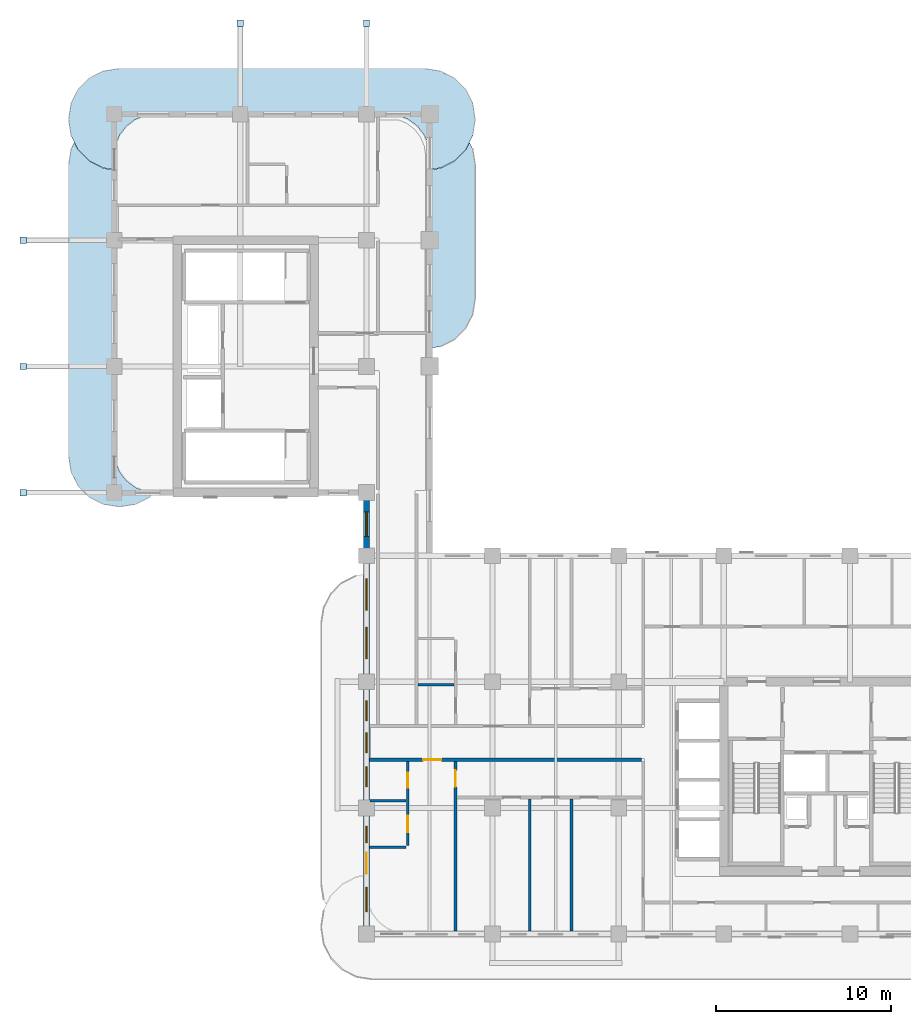
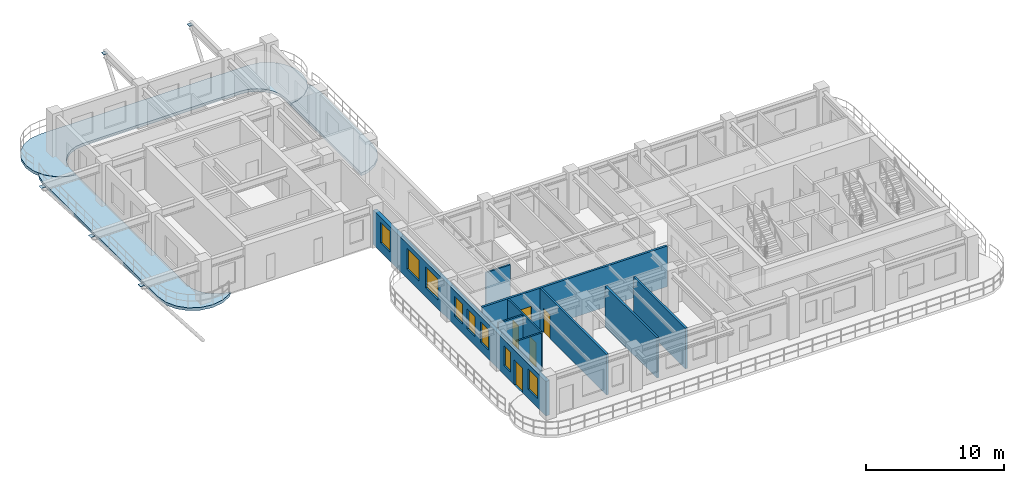
# One storey, part 5 of 14: 9 walls, 8 windows, 5 doors, 5 plates, 3 slabs, 13 openings.
"""IFC4 building model written with IfcOpenShell, lengths in metres."""

from ifc_helpers import new_model, si_unit, derived_unit, direction, frame, frame_2d, origin, origin_2d, place, context, subcontext, project, spatial, polyline, rectangle, outline, extrude, source, transform, mapped, material, layer, layer_set, type_object, type_shapes, element, fill, save


model = new_model("IFC4")

# Units and contexts
model_context = context("Model", 3, precision=1e-05, world=origin(), true_north=direction((0.0, 1.0)))
body_context = subcontext(model_context, "Body", "Model", "MODEL_VIEW")
ifc_project = project(units=[si_unit("LENGTHUNIT", "METRE"), si_unit("AREAUNIT", "SQUARE_METRE"), si_unit("VOLUMEUNIT", "CUBIC_METRE"), si_unit("PLANEANGLEUNIT", "RADIAN"), si_unit("MASSUNIT", "GRAM", prefix="KILO"), si_unit("THERMODYNAMICTEMPERATUREUNIT", "KELVIN"), si_unit("POWERUNIT", "WATT"), derived_unit("THERMALTRANSMITTANCEUNIT", [(si_unit("POWERUNIT", "WATT"), 1), (si_unit("AREAUNIT", "SQUARE_METRE"), -1), (si_unit("THERMODYNAMICTEMPERATUREUNIT", "KELVIN"), -1)])], contexts=[model_context])

# Site, building, storey
site_placement = place(None, origin())
site = spatial("IfcSite", under=ifc_project, at=site_placement, CompositionType="ELEMENT")
building_placement = place(site_placement, origin())
building = spatial("IfcBuilding", under=site, at=building_placement, Name="Zahravan Archway Hotel and Residences", CompositionType="ELEMENT")
storey_placement = place(building_placement, frame((0.0, 0.0, 209.60009765625)))
storey = spatial("IfcBuildingStorey", under=building, at=storey_placement, Name="L52", CompositionType="ELEMENT", Elevation=209.60009765625)

# Slabs
ifc_material_1 = material(Name="Concrete C45/55", Category="concrete")
ifc_layer_1 = layer(ifc_material_1, 0.25, Name="Concrete C45/55", Category="concrete")
ifc_layer_set_1 = layer_set([ifc_layer_1], Name="Concrete C45/55")
slab_type = type_object("IfcSlabType", Name="SLB-BALC-250", PredefinedType="FLOOR", material=ifc_layer_set_1)
slab_1_placement = place(storey_placement, frame((0.0, 0.0, -0.25)))
element("IfcSlab", 1, at=slab_1_placement, inside=storey, type_object=slab_type, Name="L52 Wing B North Rounded Balcony Band", PredefinedType="FLOOR", context=body_context, shape_type="SweptSolid", body=[
    extrude(outline(polyline([(-0.630615234375, 43.739501953125), (-1.42529296875, 44.144287109375), (-2.0556640625, 44.77490234375), (-2.46044921875, 45.5693359375), (-2.60009765625, 46.449951171875), (-2.60009765625, 46.550048828125), (-2.46044921875, 47.4306640625), (-2.0556640625, 48.22509765625), (-1.42529296875, 48.855712890625), (-0.630615234375, 49.260498046875), (0.25, 49.39990234375), (17.75, 49.39990234375), (18.630615234375, 49.260498046875), (19.42529296875, 48.855712890625), (20.0556640625, 48.22509765625), (20.46044921875, 47.4306640625), (20.60009765625, 46.550048828125), (20.60009765625, 46.449951171875), (20.46044921875, 45.5693359375), (20.0556640625, 44.77490234375), (19.42529296875, 44.144287109375), (18.630615234375, 43.739501953125), (18.02001953125, 43.642822265625), (18.02001953125, 44.39990234375), (18.019775390625, 44.402587890625), (17.93798828125, 45.023681640625), (17.937744140625, 45.025390625), (17.937255859375, 45.027099609375), (17.936767578125, 45.02880859375), (17.697021484375, 45.607666015625), (17.6962890625, 45.609130859375), (17.6953125, 45.610595703125), (17.6943359375, 45.6123046875), (17.31298828125, 46.109375), (17.311767578125, 46.110595703125), (17.310546875, 46.11181640625), (17.309326171875, 46.113037109375), (16.812255859375, 46.494384765625), (16.810791015625, 46.495361328125), (16.80908203125, 46.49609375), (16.8076171875, 46.4970703125), (16.22900390625, 46.73681640625), (16.227294921875, 46.7373046875), (16.2255859375, 46.73779296875), (16.223876953125, 46.738037109375), (15.6025390625, 46.81982421875), (15.60009765625, 46.820068359375), (2.39990234375, 46.820068359375), (2.3974609375, 46.81982421875), (1.776123046875, 46.738037109375), (1.7744140625, 46.73779296875), (1.772705078125, 46.7373046875), (1.77099609375, 46.73681640625), (1.1923828125, 46.4970703125), (1.19091796875, 46.49609375), (1.189208984375, 46.495361328125), (1.187744140625, 46.494384765625), (0.690673828125, 46.113037109375), (0.689453125, 46.11181640625), (0.688232421875, 46.110595703125), (0.68701171875, 46.109375), (0.3056640625, 45.6123046875), (0.3046875, 45.610595703125), (0.3037109375, 45.609130859375), (0.302978515625, 45.607666015625), (0.063232421875, 45.02880859375), (0.062744140625, 45.027099609375), (0.062255859375, 45.025390625), (0.06201171875, 45.023681640625), (-0.019775390625, 44.402587890625), (-0.02001953125, 44.39990234375), (-0.02001953125, 43.642822265625), (-0.630615234375, 43.739501953125)])), origin(), (0.0, 0.0, 1.0), 0.25),
])
slab_2_placement = place(storey_placement, frame((0.0, 0.0, -0.25)))
element("IfcSlab", 2, at=slab_2_placement, inside=storey, type_object=slab_type, Name="L52 Wing B West Rounded Balcony Band", PredefinedType="FLOOR", context=body_context, shape_type="SweptSolid", body=[
    extrude(outline(polyline([(2.025146484375, 24.9443359375), (1.230712890625, 24.53955078125), (0.35009765625, 24.39990234375), (0.25, 24.39990234375), (-0.630615234375, 24.53955078125), (-1.42529296875, 24.9443359375), (-2.0556640625, 25.57470703125), (-2.46044921875, 26.369384765625), (-2.60009765625, 27.25), (-2.60009765625, 43.949951171875), (-2.46044921875, 44.830810546875), (-2.28369140625, 45.177978515625), (-2.073486328125, 44.765625), (-2.072509765625, 44.763916015625), (-2.0712890625, 44.76220703125), (-2.06982421875, 44.7607421875), (-1.439208984375, 44.130126953125), (-1.437744140625, 44.12890625), (-1.43603515625, 44.12744140625), (-1.434326171875, 44.12646484375), (-0.639892578125, 43.7216796875), (-0.637939453125, 43.720703125), (-0.635986328125, 43.72021484375), (-0.6337890625, 43.7197265625), (-0.023193359375, 43.623046875), (-0.021240234375, 43.622802734375), (-0.02001953125, 43.622802734375), (-0.02001953125, 27.60009765625), (-0.019775390625, 27.597412109375), (0.06201171875, 26.976318359375), (0.062255859375, 26.974609375), (0.062744140625, 26.972900390625), (0.063232421875, 26.97119140625), (0.302978515625, 26.392333984375), (0.3037109375, 26.390869140625), (0.3046875, 26.389404296875), (0.3056640625, 26.3876953125), (0.68701171875, 25.890625), (0.688232421875, 25.889404296875), (0.689453125, 25.88818359375), (0.690673828125, 25.886962890625), (1.187744140625, 25.505615234375), (1.189208984375, 25.504638671875), (1.19091796875, 25.50390625), (1.1923828125, 25.5029296875), (1.77099609375, 25.26318359375), (1.772705078125, 25.2626953125), (1.7744140625, 25.26220703125), (1.776123046875, 25.261962890625), (2.27685546875, 25.196044921875), (2.025146484375, 24.9443359375)])), origin(), (0.0, 0.0, 1.0), 0.25),
])
slab_3_placement = place(storey_placement, frame((0.0, 0.0, -0.25)))
element("IfcSlab", 3, at=slab_3_placement, inside=storey, type_object=slab_type, Name="L52 Wing B East Rounded Balcony Band", PredefinedType="FLOOR", context=body_context, shape_type="SweptSolid", body=[
    extrude(outline(polyline([(20.46044921875, 44.830810546875), (20.60009765625, 43.949951171875), (20.60009765625, 36.25), (20.46044921875, 35.369384765625), (20.0556640625, 34.57470703125), (19.42529296875, 33.9443359375), (18.630615234375, 33.53955078125), (18.02001953125, 33.44287109375), (18.02001953125, 43.622802734375), (18.021240234375, 43.622802734375), (18.023193359375, 43.623046875), (18.6337890625, 43.7197265625), (18.635986328125, 43.72021484375), (18.637939453125, 43.720703125), (18.639892578125, 43.7216796875), (19.434326171875, 44.12646484375), (19.43603515625, 44.12744140625), (19.437744140625, 44.12890625), (19.439208984375, 44.130126953125), (20.06982421875, 44.7607421875), (20.0712890625, 44.76220703125), (20.072509765625, 44.763916015625), (20.073486328125, 44.765625), (20.28369140625, 45.177978515625), (20.46044921875, 44.830810546875)])), origin(), (0.0, 0.0, 1.0), 0.25),
])

# Plates
ifc_material_2 = material(Name="Structural Steel S355J2", Category="steel")
ifc_layer_2 = layer(ifc_material_2, 0.02490234375, Name="Structural Steel S355J2", Category="steel")
ifc_layer_set_2 = layer_set([ifc_layer_2], Name="Structural Steel S355J2")
plate_type = type_object("IfcPlateType", Name="PLT-CAP-ECP1", PredefinedType="SHEET", material=ifc_layer_set_2)
shared_shape_1 = source(origin(), body_context, "Body", "SweptSolid", [
    extrude(rectangle(XDim=0.360107421875, YDim=0.360107421875, at=origin_2d()), origin(), (0.0, 0.0, 1.0), 0.02490234375),
])
type_shapes(plate_type, [shared_shape_1])
for number, where, z_axis, x_axis, name in (
    (4, (-5.199951171875, 25.199951171875, 3.1875), (0.0, 0.0, 1.0), (1.0, 0.0, 0.0), "Wing B Chhajja Hollow Strut End Cap W1"),
    (5, (-5.199951171875, 32.39990234375, 3.1875), (0.0, 0.0, 1.0), (1.0, 0.0, 0.0), "Wing B Chhajja Hollow Strut End Cap W2"),
    (6, (-5.199951171875, 39.60009765625, 3.1875), (0.0, 0.0, 1.0), (1.0, 0.0, 0.0), "Wing B Chhajja Hollow Strut End Cap W3"),
    (7, (7.199951171875, 52.0, 3.1875), (0.0, 0.0, 1.0), (1.0, 0.0, 0.0), "Wing B Chhajja Hollow Strut End Cap N1"),
    (8, (14.39990234375, 52.0, 3.1875), (0.0, 0.0, 1.0), (1.0, 0.0, 0.0), "Wing B Chhajja Hollow Strut End Cap N2"),
):
    element("IfcPlate", number, at=place(storey_placement, frame(where, z_axis=z_axis, x_axis=x_axis)), inside=storey, type_object=plate_type, Name=name, PredefinedType="SHEET", context=body_context, shape_type="MappedRepresentation", body=[
        mapped(shared_shape_1, transform((0.0, 0.0, 0.0), scale=1.0)),
    ])

# Wall, openings, door, windows
ifc_material_3 = material(Name="Agra Buff Sandstone & Insulated Backup", Category="masonry")
ifc_layer_3 = layer(ifc_material_3, 0.320068359375, Name="Agra Buff Sandstone & Insulated Backup", Category="masonry")
ifc_layer_set_3 = layer_set([ifc_layer_3], Name="Agra Buff Sandstone & Insulated Backup")
wall_type_1 = type_object("IfcWallType", Name="EW-SAND-320", PredefinedType="SOLIDWALL", material=ifc_layer_set_3)
wall_1_placement = place(storey_placement, frame((14.39990234375, 0.050048828125, 0.0), z_axis=(0.0, 0.0, 1.0), x_axis=(0.0, 1.0, 0.0)))
wall_1 = element("IfcWall", 9, at=wall_1_placement, inside=storey, type_object=wall_type_1, Name="L52 Exterior Sandstone Wall WA-WL", PredefinedType="SOLIDWALL", context=body_context, shape_type="SweptSolid", body=[
    extrude(rectangle(XDim=25.099853515625, YDim=0.320068359375, at=frame_2d((12.5498046875, 0.0))), origin(), (0.0, 0.0, 1.0), 3.0849609375),
])
opening_1_placement = place(wall_1_placement, frame((3.39990234375, 0.0, 0.0)))
opening_1 = element("IfcOpeningElement", 10, at=opening_1_placement, cuts=wall_1, Name="Opening ED-BL1", PredefinedType="OPENING", context=body_context, shape_type="SweptSolid", body=[
    extrude(rectangle(XDim=1.199951171875, YDim=2.199951171875, at=frame_2d((0.60009765625, 1.10009765625))), frame((0.0, 0.169921875, 0.0), z_axis=(0.0, -1.0, 0.0), x_axis=(1.0, 0.0, 0.0)), (0.0, 0.0, 1.0), 0.340087890625),
])
opening_2_placement = place(wall_1_placement, frame((1.22509765625, 0.0, 0.800048828125)))
opening_2 = element("IfcOpeningElement", 11, at=opening_2_placement, cuts=wall_1, Name="Opening W-03", PredefinedType="OPENING", context=body_context, shape_type="SweptSolid", body=[
    extrude(rectangle(XDim=1.39990234375, YDim=1.85009765625, at=frame_2d((0.699951171875, 0.925048828125))), frame((0.0, 0.169921875, 0.0), z_axis=(0.0, -1.0, 0.0), x_axis=(1.0, 0.0, 0.0)), (0.0, 0.0, 1.0), 0.340087890625),
])
opening_3_placement = place(wall_1_placement, frame((5.154052734375, 0.0, 0.800048828125)))
opening_3 = element("IfcOpeningElement", 12, at=opening_3_placement, cuts=wall_1, Name="Opening W-04", PredefinedType="OPENING", context=body_context, shape_type="SweptSolid", body=[
    extrude(rectangle(XDim=0.949951171875, YDim=1.75, at=frame_2d((0.47509765625, 0.875))), frame((0.0, 0.169921875, 0.0), z_axis=(0.0, -1.0, 0.0), x_axis=(1.0, 0.0, 0.0)), (0.0, 0.0, 1.0), 0.340087890625),
])
opening_4_placement = place(wall_1_placement, frame((8.345947265625, 0.0, 0.800048828125)))
opening_4 = element("IfcOpeningElement", 13, at=opening_4_placement, cuts=wall_1, Name="Opening W-05", PredefinedType="OPENING", context=body_context, shape_type="SweptSolid", body=[
    extrude(rectangle(XDim=1.14990234375, YDim=1.800048828125, at=frame_2d((0.574951171875, 0.89990234375))), frame((0.0, 0.169921875, 0.0), z_axis=(0.0, -1.0, 0.0), x_axis=(1.0, 0.0, 0.0)), (0.0, 0.0, 1.0), 0.340087890625),
])
opening_5_placement = place(wall_1_placement, frame((10.284912109375, 0.0, 0.800048828125)))
opening_5 = element("IfcOpeningElement", 14, at=opening_5_placement, cuts=wall_1, Name="Opening W-05", PredefinedType="OPENING", context=body_context, shape_type="SweptSolid", body=[
    extrude(rectangle(XDim=1.14990234375, YDim=1.800048828125, at=frame_2d((0.574951171875, 0.89990234375))), frame((0.0, 0.169921875, 0.0), z_axis=(0.0, -1.0, 0.0), x_axis=(1.0, 0.0, 0.0)), (0.0, 0.0, 1.0), 0.340087890625),
])
opening_6_placement = place(wall_1_placement, frame((12.114013671875, 0.0, 0.800048828125)))
opening_6 = element("IfcOpeningElement", 15, at=opening_6_placement, cuts=wall_1, Name="Opening W-05", PredefinedType="OPENING", context=body_context, shape_type="SweptSolid", body=[
    extrude(rectangle(XDim=1.14990234375, YDim=1.800048828125, at=frame_2d((0.574951171875, 0.89990234375))), frame((0.0, 0.169921875, 0.0), z_axis=(0.0, -1.0, 0.0), x_axis=(1.0, 0.0, 0.0)), (0.0, 0.0, 1.0), 0.340087890625),
])
opening_7_placement = place(wall_1_placement, frame((15.675048828125, 0.0, 0.800048828125)))
opening_7 = element("IfcOpeningElement", 16, at=opening_7_placement, cuts=wall_1, Name="Opening W-02", PredefinedType="OPENING", context=body_context, shape_type="SweptSolid", body=[
    extrude(rectangle(XDim=1.800048828125, YDim=1.85009765625, at=frame_2d((0.89990234375, 0.925048828125))), frame((0.0, 0.169921875, 0.0), z_axis=(0.0, -1.0, 0.0), x_axis=(1.0, 0.0, 0.0)), (0.0, 0.0, 1.0), 0.340087890625),
])
opening_8_placement = place(wall_1_placement, frame((18.425048828125, 0.0, 0.800048828125)))
opening_8 = element("IfcOpeningElement", 17, at=opening_8_placement, cuts=wall_1, Name="Opening W-02", PredefinedType="OPENING", context=body_context, shape_type="SweptSolid", body=[
    extrude(rectangle(XDim=1.800048828125, YDim=1.85009765625, at=frame_2d((0.89990234375, 0.925048828125))), frame((0.0, 0.169921875, 0.0), z_axis=(0.0, -1.0, 0.0), x_axis=(1.0, 0.0, 0.0)), (0.0, 0.0, 1.0), 0.340087890625),
])
opening_9_placement = place(wall_1_placement, frame((22.64990234375, 0.0, 0.800048828125)))
opening_9 = element("IfcOpeningElement", 18, at=opening_9_placement, cuts=wall_1, Name="Opening W-03", PredefinedType="OPENING", context=body_context, shape_type="SweptSolid", body=[
    extrude(rectangle(XDim=1.39990234375, YDim=1.85009765625, at=frame_2d((0.699951171875, 0.925048828125))), frame((0.0, 0.169921875, 0.0), z_axis=(0.0, -1.0, 0.0), x_axis=(1.0, 0.0, 0.0)), (0.0, 0.0, 1.0), 0.340087890625),
])
ifc_material_4 = material(Name="Bronze-Anodized Glazed Aluminium", Category="aluminium")
door_type_1 = type_object("IfcDoorType", Name="ED-BALC-1200", OperationType="SLIDING_TO_LEFT", PredefinedType="DOOR", material=ifc_material_4)
shared_shape_2 = source(origin(), body_context, "Body", "SweptSolid", [
    extrude(rectangle(XDim=1.199951171875, YDim=2.199951171875, at=frame_2d((0.60009765625, 1.10009765625))), frame((0.0, 0.02490234375, 0.0), z_axis=(0.0, -1.0, 0.0), x_axis=(1.0, 0.0, 0.0)), (0.0, 0.0, 1.0), 0.050048828125),
])
type_shapes(door_type_1, [shared_shape_2])
door_1_placement = place(opening_1_placement, origin())
door_1 = element("IfcDoor", 19, at=door_1_placement, inside=storey, type_object=door_type_1, Name="L52 Outdoor Access Sliding Door (SLB-BAL-L52-WA)", OperationType="SLIDING_TO_LEFT", OverallHeight=2.199951171875, OverallWidth=1.199951171875, PredefinedType="DOOR", context=body_context, shape_type="MappedRepresentation", body=[
    mapped(shared_shape_2, transform((0.0, 0.0, 0.0), scale=1.0)),
])
fill(opening_1, door_1)
ifc_material_5 = material(Name="Bronze-Anodized Thermal-Break Aluminium & Low-E Glass", Category="aluminium")
window_type_1 = type_object("IfcWindowType", Name="WIN-TWR-1400", PartitioningType="SINGLE_PANEL", PredefinedType="WINDOW", material=ifc_material_5)
shared_shape_3 = source(origin(), body_context, "Body", "SweptSolid", [
    extrude(rectangle(XDim=1.39990234375, YDim=1.85009765625, at=frame_2d((0.699951171875, 0.925048828125))), frame((0.0, 0.030029296875, 0.0), z_axis=(0.0, -1.0, 0.0), x_axis=(1.0, 0.0, 0.0)), (0.0, 0.0, 1.0), 0.06005859375),
])
type_shapes(window_type_1, [shared_shape_3])
window_1_placement = place(opening_2_placement, origin())
window_1 = element("IfcWindow", 20, at=window_1_placement, inside=storey, type_object=window_type_1, Name="L52 Loggia Window 21", OverallHeight=1.85009765625, OverallWidth=1.39990234375, PartitioningType="SINGLE_PANEL", PredefinedType="WINDOW", context=body_context, shape_type="MappedRepresentation", body=[
    mapped(shared_shape_3, transform((0.0, 0.0, 0.0), scale=1.0)),
])
fill(opening_2, window_1)
window_2_placement = place(opening_9_placement, origin())
window_2 = element("IfcWindow", 21, at=window_2_placement, inside=storey, type_object=window_type_1, Name="L52 Loggia Window 28", OverallHeight=1.85009765625, OverallWidth=1.39990234375, PartitioningType="SINGLE_PANEL", PredefinedType="WINDOW", context=body_context, shape_type="MappedRepresentation", body=[
    mapped(shared_shape_3, transform((0.0, 0.0, 0.0), scale=1.0)),
])
fill(opening_9, window_2)
window_type_2 = type_object("IfcWindowType", Name="WIN-NAR-950", PartitioningType="SINGLE_PANEL", PredefinedType="WINDOW", material=ifc_material_5)
shared_shape_4 = source(origin(), body_context, "Body", "SweptSolid", [
    extrude(rectangle(XDim=0.949951171875, YDim=1.75, at=frame_2d((0.47509765625, 0.875))), frame((0.0, 0.030029296875, 0.0), z_axis=(0.0, -1.0, 0.0), x_axis=(1.0, 0.0, 0.0)), (0.0, 0.0, 1.0), 0.06005859375),
])
type_shapes(window_type_2, [shared_shape_4])
window_3_placement = place(opening_3_placement, origin())
window_3 = element("IfcWindow", 22, at=window_3_placement, inside=storey, type_object=window_type_2, Name="L52 Loggia Window 22", OverallHeight=1.75, OverallWidth=0.949951171875, PartitioningType="SINGLE_PANEL", PredefinedType="WINDOW", context=body_context, shape_type="MappedRepresentation", body=[
    mapped(shared_shape_4, transform((0.0, 0.0, 0.0), scale=1.0)),
])
fill(opening_3, window_3)
window_type_3 = type_object("IfcWindowType", Name="WIN-TWR-1800", PartitioningType="DOUBLE_PANEL_VERTICAL", PredefinedType="WINDOW", material=ifc_material_5)
shared_shape_5 = source(origin(), body_context, "Body", "SweptSolid", [
    extrude(rectangle(XDim=1.800048828125, YDim=1.85009765625, at=frame_2d((0.89990234375, 0.925048828125))), frame((0.0, 0.030029296875, 0.0), z_axis=(0.0, -1.0, 0.0), x_axis=(1.0, 0.0, 0.0)), (0.0, 0.0, 1.0), 0.06005859375),
])
type_shapes(window_type_3, [shared_shape_5])
window_4_placement = place(opening_7_placement, origin())
window_4 = element("IfcWindow", 23, at=window_4_placement, inside=storey, type_object=window_type_3, Name="L52 Loggia Window 26", OverallHeight=1.85009765625, OverallWidth=1.800048828125, PartitioningType="DOUBLE_PANEL_VERTICAL", PredefinedType="WINDOW", context=body_context, shape_type="MappedRepresentation", body=[
    mapped(shared_shape_5, transform((0.0, 0.0, 0.0), scale=1.0)),
])
fill(opening_7, window_4)
window_5_placement = place(opening_8_placement, origin())
window_5 = element("IfcWindow", 24, at=window_5_placement, inside=storey, type_object=window_type_3, Name="L52 Loggia Window 27", OverallHeight=1.85009765625, OverallWidth=1.800048828125, PartitioningType="DOUBLE_PANEL_VERTICAL", PredefinedType="WINDOW", context=body_context, shape_type="MappedRepresentation", body=[
    mapped(shared_shape_5, transform((0.0, 0.0, 0.0), scale=1.0)),
])
fill(opening_8, window_5)
window_type_4 = type_object("IfcWindowType", Name="WIN-TWR-1150", PartitioningType="SINGLE_PANEL", PredefinedType="WINDOW", material=ifc_material_5)
shared_shape_6 = source(origin(), body_context, "Body", "SweptSolid", [
    extrude(rectangle(XDim=1.14990234375, YDim=1.800048828125, at=frame_2d((0.574951171875, 0.89990234375))), frame((0.0, 0.030029296875, 0.0), z_axis=(0.0, -1.0, 0.0), x_axis=(1.0, 0.0, 0.0)), (0.0, 0.0, 1.0), 0.06005859375),
])
type_shapes(window_type_4, [shared_shape_6])
window_6_placement = place(opening_4_placement, origin())
window_6 = element("IfcWindow", 25, at=window_6_placement, inside=storey, type_object=window_type_4, Name="L52 Loggia Window 23", OverallHeight=1.800048828125, OverallWidth=1.14990234375, PartitioningType="SINGLE_PANEL", PredefinedType="WINDOW", context=body_context, shape_type="MappedRepresentation", body=[
    mapped(shared_shape_6, transform((0.0, 0.0, 0.0), scale=1.0)),
])
fill(opening_4, window_6)
window_7_placement = place(opening_5_placement, origin())
window_7 = element("IfcWindow", 26, at=window_7_placement, inside=storey, type_object=window_type_4, Name="L52 Loggia Window 24", OverallHeight=1.800048828125, OverallWidth=1.14990234375, PartitioningType="SINGLE_PANEL", PredefinedType="WINDOW", context=body_context, shape_type="MappedRepresentation", body=[
    mapped(shared_shape_6, transform((0.0, 0.0, 0.0), scale=1.0)),
])
fill(opening_5, window_7)
window_8_placement = place(opening_6_placement, origin())
window_8 = element("IfcWindow", 27, at=window_8_placement, inside=storey, type_object=window_type_4, Name="L52 Loggia Window 25", OverallHeight=1.800048828125, OverallWidth=1.14990234375, PartitioningType="SINGLE_PANEL", PredefinedType="WINDOW", context=body_context, shape_type="MappedRepresentation", body=[
    mapped(shared_shape_6, transform((0.0, 0.0, 0.0), scale=1.0)),
])
fill(opening_6, window_8)

# Wall, opening, door
ifc_material_6 = material(Name="Fire-Rated Gypsum & Concrete Block", Category="concrete")
ifc_layer_4 = layer(ifc_material_6, 0.179931640625, Name="Fire-Rated Gypsum & Concrete Block", Category="concrete")
ifc_layer_set_4 = layer_set([ifc_layer_4], Name="Fire-Rated Gypsum & Concrete Block")
wall_type_2 = type_object("IfcWallType", Name="PW-CORR-180", PredefinedType="PARTITIONING", material=ifc_layer_set_4)
wall_2_placement = place(storey_placement, frame((14.568115234375, 9.949951171875, 0.0), z_axis=(0.0, 0.0, 1.0), x_axis=(1.0, 0.0, 0.0)))
wall_2 = element("IfcWall", 28, at=wall_2_placement, inside=storey, type_object=wall_type_2, Name="L52 Partition WA-CS", PredefinedType="PARTITIONING", context=body_context, shape_type="SweptSolid", body=[
    extrude(rectangle(XDim=15.5419921875, YDim=0.179931640625, at=frame_2d((7.77099609375, 0.0))), origin(), (0.0, 0.0, 1.0), 3.599853515625),
])
opening_10_placement = place(wall_2_placement, frame((3.06201171875, 0.0, 0.0)))
opening_10 = element("IfcOpeningElement", 29, at=opening_10_placement, cuts=wall_2, Name="Opening D-U1", PredefinedType="OPENING", context=body_context, shape_type="SweptSolid", body=[
    extrude(rectangle(XDim=1.050048828125, YDim=2.25, at=frame_2d((0.52490234375, 1.125))), frame((0.0, 0.10009765625, 0.0), z_axis=(0.0, -1.0, 0.0), x_axis=(1.0, 0.0, 0.0)), (0.0, 0.0, 1.0), 0.199951171875),
])
ifc_material_7 = material(Name="Hardwood Veneer Timber", Category="wood")
door_type_2 = type_object("IfcDoorType", Name="ID-UNIT-1050", OperationType="NOTDEFINED", PredefinedType="DOOR", material=ifc_material_7)
shared_shape_7 = source(origin(), body_context, "Body", "SweptSolid", [
    extrude(rectangle(XDim=1.050048828125, YDim=2.25, at=frame_2d((0.52490234375, 1.125))), frame((0.0, 0.02490234375, 0.0), z_axis=(0.0, -1.0, 0.0), x_axis=(1.0, 0.0, 0.0)), (0.0, 0.0, 1.0), 0.050048828125),
])
type_shapes(door_type_2, [shared_shape_7])
door_2_placement = place(opening_10_placement, origin())
door_2 = element("IfcDoor", 30, at=door_2_placement, inside=storey, type_object=door_type_2, Name="L52 Flat S1 Entrance Door", OperationType="SINGLE_SWING_LEFT", OverallHeight=2.25, OverallWidth=1.050048828125, PredefinedType="DOOR", context=body_context, shape_type="MappedRepresentation", body=[
    mapped(shared_shape_7, transform((0.0, 0.0, 0.0), scale=1.0)),
])
fill(opening_10, door_2)

ifc_material_8 = material(Name="Acoustic Stud Partition")
ifc_layer_5 = layer(ifc_material_8, 0.169921875, Name="Acoustic Stud Partition")
ifc_layer_set_5 = layer_set([ifc_layer_5], Name="Acoustic Stud Partition")
wall_type_3 = type_object("IfcWallType", Name="PW-UNIT-170", PredefinedType="PARTITIONING", material=ifc_layer_set_5)
wall_3_placement = place(storey_placement, frame((19.47998046875, 0.16796875, 0.0), z_axis=(0.0, 0.0, 1.0), x_axis=(0.0, 1.0, 0.0)))
wall_3 = element("IfcWall", 31, at=wall_3_placement, inside=storey, type_object=wall_type_3, Name="L52 Partition FL-S1-SP", PredefinedType="PARTITIONING", context=body_context, shape_type="SweptSolid", body=[
    extrude(rectangle(XDim=9.692138671875, YDim=0.169921875, at=frame_2d((4.84619140625, 0.0))), origin(), (0.0, 0.0, 1.0), 3.599853515625),
])
opening_11_placement = place(wall_3_placement, frame((8.23193359375, 0.0, 0.0)))
opening_11 = element("IfcOpeningElement", 32, at=opening_11_placement, cuts=wall_3, Name="Opening D-I1", PredefinedType="OPENING", context=body_context, shape_type="SweptSolid", body=[
    extrude(rectangle(XDim=0.949951171875, YDim=2.14990234375, at=frame_2d((0.47509765625, 1.074951171875))), frame((0.0, 0.094970703125, 0.0), z_axis=(0.0, -1.0, 0.0), x_axis=(1.0, 0.0, 0.0)), (0.0, 0.0, 1.0), 0.18994140625),
])
door_type_3 = type_object("IfcDoorType", Name="ID-INT-950", OperationType="NOTDEFINED", PredefinedType="DOOR", material=ifc_material_7)
shared_shape_8 = source(origin(), body_context, "Body", "SweptSolid", [
    extrude(rectangle(XDim=0.949951171875, YDim=2.14990234375, at=frame_2d((0.47509765625, 1.074951171875))), frame((0.0, 0.02490234375, 0.0), z_axis=(0.0, -1.0, 0.0), x_axis=(1.0, 0.0, 0.0)), (0.0, 0.0, 1.0), 0.050048828125),
])
type_shapes(door_type_3, [shared_shape_8])
door_3_placement = place(opening_11_placement, origin())
door_3 = element("IfcDoor", 33, at=door_3_placement, inside=storey, type_object=door_type_3, Name="L52 Flat S1 Bedroom Hall Door", OperationType="SINGLE_SWING_RIGHT", OverallHeight=2.14990234375, OverallWidth=0.949951171875, PredefinedType="DOOR", context=body_context, shape_type="MappedRepresentation", body=[
    mapped(shared_shape_8, transform((0.0, 0.0, 0.0), scale=1.0)),
])
fill(opening_11, door_3)

# Walls
for number, where, z_axis, x_axis, name in (
    (34, (23.719970703125, 0.16796875, 0.0), (0.0, 0.0, 1.0), (0.0, 1.0, 0.0), "L52 Partition FL-S1-BD1"),
    (35, (26.10009765625, 0.16796875, 0.0), (0.0, 0.0, 1.0), (0.0, 1.0, 0.0), "L52 Partition FL-S1-BD2"),
):
    element("IfcWall", number, at=place(storey_placement, frame(where, z_axis=z_axis, x_axis=x_axis)), inside=storey, type_object=wall_type_3, Name=name, PredefinedType="PARTITIONING", context=body_context, shape_type="SweptSolid", body=[
        extrude(rectangle(XDim=7.5419921875, YDim=0.169921875, at=frame_2d((3.77099609375, 0.0))), origin(), (0.0, 0.0, 1.0), 3.599853515625),
    ])

# Wall, openings, doors
ifc_material_9 = material(Name="Moisture-Resistant Blockwork", Category="masonry")
ifc_layer_6 = layer(ifc_material_9, 0.139892578125, Name="Moisture-Resistant Blockwork", Category="masonry")
ifc_layer_set_6 = layer_set([ifc_layer_6], Name="Moisture-Resistant Blockwork")
wall_type_4 = type_object("IfcWallType", Name="PW-WET-140", PredefinedType="PARTITIONING", material=ifc_layer_set_6)
wall_4_placement = place(storey_placement, frame((16.75, 5.0400390625, 0.0), z_axis=(0.0, 0.0, 1.0), x_axis=(0.0, 1.0, 0.0)))
wall_4 = element("IfcWall", 36, at=wall_4_placement, inside=storey, type_object=wall_type_4, Name="L52 Partition FL-S1-BV", PredefinedType="PARTITIONING", context=body_context, shape_type="SweptSolid", body=[
    extrude(rectangle(XDim=4.820068359375, YDim=0.139892578125, at=frame_2d((2.41015625, 0.0))), origin(), (0.0, 0.0, 1.0), 3.599853515625),
])
opening_12_placement = place(wall_4_placement, frame((0.760009765625, 0.0, 0.0)))
opening_12 = element("IfcOpeningElement", 37, at=opening_12_placement, cuts=wall_4, Name="Opening D-I1", PredefinedType="OPENING", context=body_context, shape_type="SweptSolid", body=[
    extrude(rectangle(XDim=0.949951171875, YDim=2.14990234375, at=frame_2d((0.47509765625, 1.074951171875))), frame((0.0, 0.080078125, 0.0), z_axis=(0.0, -1.0, 0.0), x_axis=(1.0, 0.0, 0.0)), (0.0, 0.0, 1.0), 0.159912109375),
])
opening_13_placement = place(wall_4_placement, frame((3.31005859375, 0.0, 0.0)))
opening_13 = element("IfcOpeningElement", 38, at=opening_13_placement, cuts=wall_4, Name="Opening D-B1", PredefinedType="OPENING", context=body_context, shape_type="SweptSolid", body=[
    extrude(rectangle(XDim=0.85009765625, YDim=2.10009765625, at=frame_2d((0.425048828125, 1.050048828125))), frame((0.0, 0.080078125, 0.0), z_axis=(0.0, -1.0, 0.0), x_axis=(1.0, 0.0, 0.0)), (0.0, 0.0, 1.0), 0.159912109375),
])
door_type_4 = type_object("IfcDoorType", Name="ID-BATH-850", OperationType="NOTDEFINED", PredefinedType="DOOR", material=ifc_material_7)
shared_shape_9 = source(origin(), body_context, "Body", "SweptSolid", [
    extrude(rectangle(XDim=0.85009765625, YDim=2.10009765625, at=frame_2d((0.425048828125, 1.050048828125))), frame((0.0, 0.02490234375, 0.0), z_axis=(0.0, -1.0, 0.0), x_axis=(1.0, 0.0, 0.0)), (0.0, 0.0, 1.0), 0.050048828125),
])
type_shapes(door_type_4, [shared_shape_9])
door_4_placement = place(opening_13_placement, origin())
door_4 = element("IfcDoor", 39, at=door_4_placement, inside=storey, type_object=door_type_4, Name="L52 Flat S1 Bathroom Door", OperationType="SINGLE_SWING_RIGHT", OverallHeight=2.10009765625, OverallWidth=0.85009765625, PredefinedType="DOOR", context=body_context, shape_type="MappedRepresentation", body=[
    mapped(shared_shape_9, transform((0.0, 0.0, 0.0), scale=1.0)),
])
fill(opening_13, door_4)
door_5_placement = place(opening_12_placement, origin())
door_5 = element("IfcDoor", 40, at=door_5_placement, inside=storey, type_object=door_type_3, Name="L52 Flat S1 Kitchen Door", OperationType="SINGLE_SWING_LEFT", OverallHeight=2.14990234375, OverallWidth=0.949951171875, PredefinedType="DOOR", context=body_context, shape_type="MappedRepresentation", body=[
    mapped(shared_shape_8, transform((0.0, 0.0, 0.0), scale=1.0)),
])
fill(opening_12, door_5)

# Walls
wall_5_placement = place(storey_placement, frame((14.590087890625, 7.60009765625, 0.0), z_axis=(0.0, 0.0, 1.0), x_axis=(1.0, 0.0, 0.0)))
element("IfcWall", 41, at=wall_5_placement, inside=storey, type_object=wall_type_4, Name="L52 Partition FL-S1-BM", PredefinedType="PARTITIONING", context=body_context, shape_type="SweptSolid", body=[
    extrude(rectangle(XDim=2.06982421875, YDim=0.139892578125, at=frame_2d((1.034912109375, 0.0))), origin(), (0.0, 0.0, 1.0), 3.599853515625),
])
wall_6_placement = place(storey_placement, frame((14.568115234375, 4.949951171875, 0.0), z_axis=(0.0, 0.0, 1.0), x_axis=(1.0, 0.0, 0.0)))
element("IfcWall", 42, at=wall_6_placement, inside=storey, type_object=wall_type_4, Name="L52 Partition FL-S1-KH", PredefinedType="PARTITIONING", context=body_context, shape_type="SweptSolid", body=[
    extrude(rectangle(XDim=2.091796875, YDim=0.139892578125, at=frame_2d((1.0458984375, 0.0))), origin(), (0.0, 0.0, 1.0), 3.599853515625),
])
wall_7_placement = place(storey_placement, frame((17.340087890625, 14.219970703125, 0.0), z_axis=(0.0, 0.0, 1.0), x_axis=(1.0, 0.0, 0.0)))
element("IfcWall", 43, at=wall_7_placement, inside=storey, type_object=wall_type_4, Name="L52 Partition FL-HN1-BM", PredefinedType="PARTITIONING", context=body_context, shape_type="SweptSolid", body=[
    extrude(rectangle(XDim=2.06982421875, YDim=0.139892578125, at=frame_2d((1.034912109375, 0.0))), origin(), (0.0, 0.0, 1.0), 3.0849609375),
])

save(model, "model.ifc")
